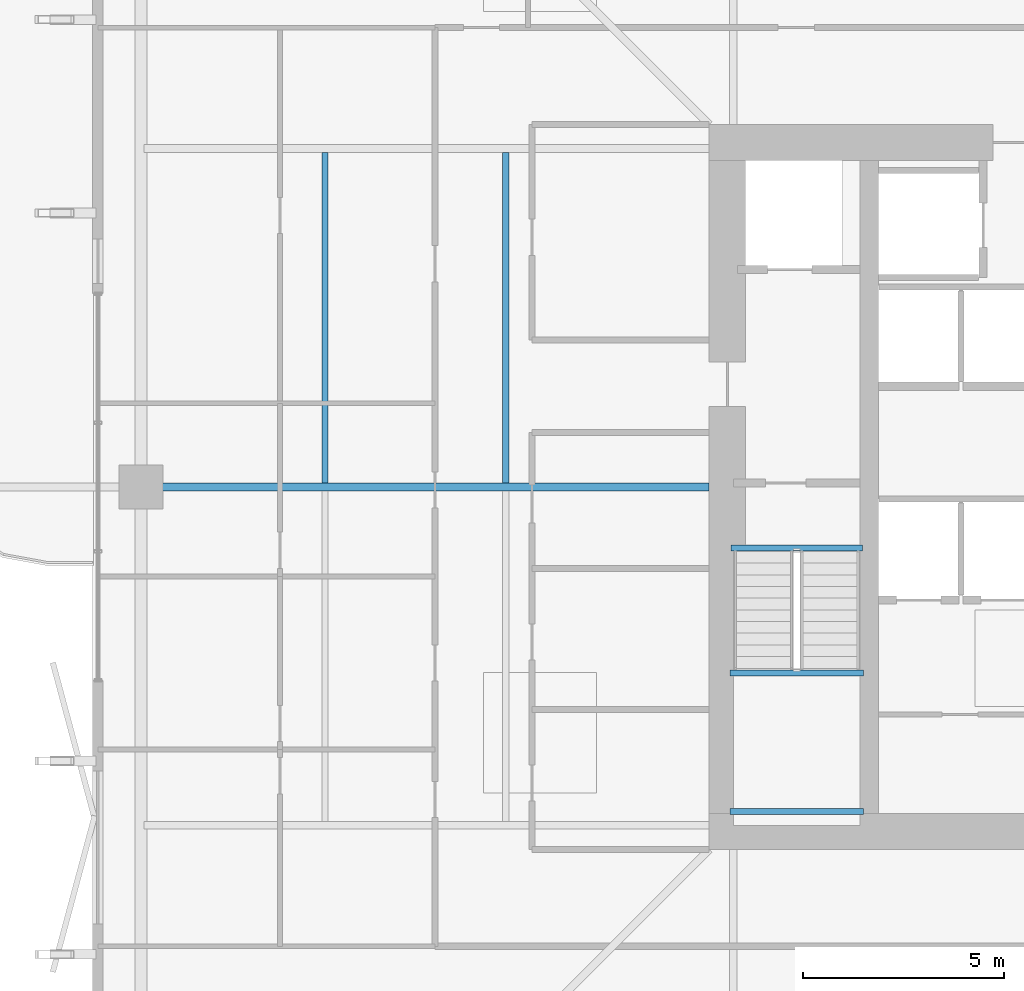
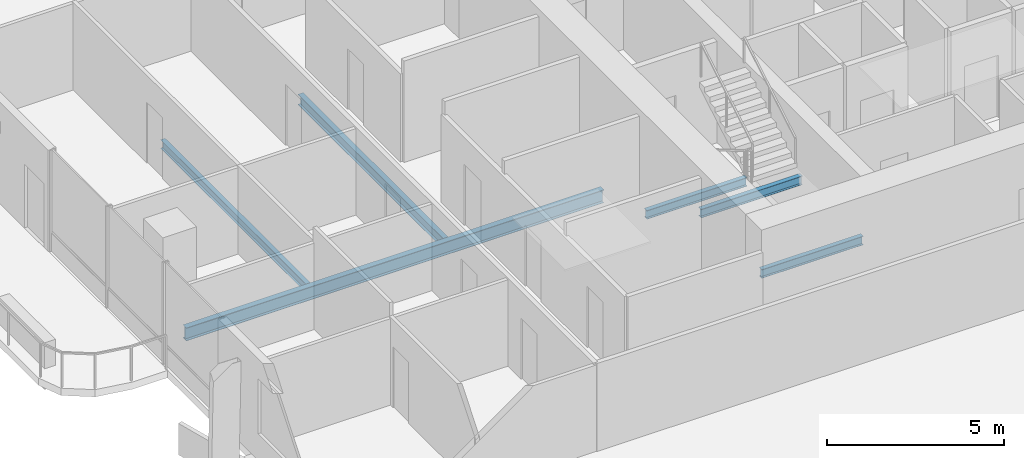
# One storey, part 7 of 25: 6 beams.
"""IFC4 building model written with IfcOpenShell, lengths in metres."""

from ifc_helpers import new_model, si_unit, direction, frame, origin, origin_2d, place, context, subcontext, project, spatial, i_section, extrude, material, material_profile, profile_set, type_object, element, save


model = new_model("IFC4")

# Units and contexts
model_context = context("Model", 3, precision=1e-05, world=origin(), true_north=direction((0.0, 1.0)))
body_context = subcontext(model_context, "Body", "Model", "MODEL_VIEW")
ifc_project = project(units=[si_unit("LENGTHUNIT", "METRE"), si_unit("AREAUNIT", "SQUARE_METRE"), si_unit("VOLUMEUNIT", "CUBIC_METRE"), si_unit("PLANEANGLEUNIT", "RADIAN"), si_unit("MASSUNIT", "GRAM", prefix="KILO")], contexts=[model_context])

# Site, building, storey
site_placement = place(None, origin())
site = spatial("IfcSite", under=ifc_project, at=site_placement, CompositionType="ELEMENT")
building_placement = place(site_placement, origin())
building = spatial("IfcBuilding", under=site, at=building_placement, Name="Belovzor Exchange Tower", CompositionType="ELEMENT")
storey_placement = place(building_placement, frame((0.0, 0.0, 172.050048828125)))
storey = spatial("IfcBuildingStorey", under=building, at=storey_placement, Name="L42", CompositionType="ELEMENT", Elevation=172.050048828125)

# Beams
ifc_material_1 = material(Name="Steel S355", Category="steel")
ifc_material_profile_1 = material_profile(ifc_material_1, i_section(OverallWidth=0.169921875, OverallDepth=0.360107421875, WebThickness=0.008056640625, FlangeThickness=0.0126953125, at=origin_2d()))
ifc_profile_set_1 = profile_set([ifc_material_profile_1], Name="Steel S355")
beam_type_1 = type_object("IfcBeamType", Name="Secondary Infill Floor Joist IPE 360", PredefinedType="BEAM", material=ifc_profile_set_1)
beam_1_placement = place(storey_placement, frame((14.7509765625, 28.89501953125, -0.43505859375), z_axis=(0.0, 1.0, 0.0), x_axis=(-1.0, 0.0, 0.0)))
element("IfcBeam", 1, at=beam_1_placement, inside=storey, type_object=beam_type_1, Name="FJ-360 Secondary Infill Floor Joist IPE 360", PredefinedType="BEAM", context=body_context, shape_type="SweptSolid", body=[
    extrude(i_section(OverallWidth=0.169921875, OverallDepth=0.360107421875, WebThickness=0.008056640625, FlangeThickness=0.0126953125, at=origin_2d()), origin(), (0.0, 0.0, 1.0), 8.2099609375),
])
ifc_material_2 = material(Name="Steel S355", Category="steel")
ifc_material_profile_2 = material_profile(ifc_material_2, i_section(OverallWidth=0.14990234375, OverallDepth=0.300048828125, WebThickness=0.007080078125, FlangeThickness=0.0107421875, at=origin_2d()))
ifc_profile_set_2 = profile_set([ifc_material_profile_2], Name="Steel S355")
beam_type_2 = type_object("IfcBeamType", Name="Secondary Trim Floor Joist IPE 300", PredefinedType="BEAM", material=ifc_profile_set_2)
for number, where, z_axis, x_axis, name in (
    (2, (20.320068359375, 24.179931640625, 1.52490234375), (1.0, 0.0, 0.0), (0.0, 1.0, 0.0), "FJ-300 Secondary Trim Floor Joist IPE 300"),
    (3, (20.320068359375, 20.75, 1.52490234375), (1.0, 0.0, 0.0), (0.0, 1.0, 0.0), "FJ-300 Secondary Trim Floor Joist IPE 300"),
):
    element("IfcBeam", number, at=place(storey_placement, frame(where, z_axis=z_axis, x_axis=x_axis)), inside=storey, type_object=beam_type_2, Name=name, PredefinedType="BEAM", context=body_context, shape_type="SweptSolid", body=[
        extrude(i_section(OverallWidth=0.14990234375, OverallDepth=0.300048828125, WebThickness=0.007080078125, FlangeThickness=0.0107421875, at=origin_2d()), origin(), (0.0, 0.0, 1.0), 3.309814453125),
    ])
beam_2_placement = place(storey_placement, frame((20.340087890625, 27.280029296875, -0.405029296875), z_axis=(1.0, 0.0, 0.0), x_axis=(0.0, 1.0, 0.0)))
element("IfcBeam", 4, at=beam_2_placement, inside=storey, type_object=beam_type_2, Name="FJ-300 Secondary Trim Floor Joist IPE 300", PredefinedType="BEAM", context=body_context, shape_type="SweptSolid", body=[
    extrude(i_section(OverallWidth=0.14990234375, OverallDepth=0.300048828125, WebThickness=0.007080078125, FlangeThickness=0.0107421875, at=origin_2d()), origin(), (0.0, 0.0, 1.0), 3.27001953125),
])
beam_3_placement = place(storey_placement, frame((10.262939453125, 28.89501953125, -0.405029296875), z_axis=(0.0, 1.0, 0.0), x_axis=(-1.0, 0.0, 0.0)))
element("IfcBeam", 5, at=beam_3_placement, inside=storey, type_object=beam_type_2, Name="FJ-300 Secondary Trim Floor Joist IPE 300", PredefinedType="BEAM", context=body_context, shape_type="SweptSolid", body=[
    extrude(i_section(OverallWidth=0.14990234375, OverallDepth=0.300048828125, WebThickness=0.007080078125, FlangeThickness=0.0107421875, at=origin_2d()), origin(), (0.0, 0.0, 1.0), 8.2099609375),
])
ifc_material_3 = material(Name="Steel S355", Category="steel")
ifc_material_profile_3 = material_profile(ifc_material_3, i_section(OverallWidth=0.18994140625, OverallDepth=0.449951171875, WebThickness=0.009521484375, FlangeThickness=0.0146484375, at=origin_2d()))
ifc_profile_set_3 = profile_set([ifc_material_profile_3], Name="Steel S355")
beam_type_3 = type_object("IfcBeamType", Name="Zone 2-4 Radial Composite Floor Beam IPE 450", PredefinedType="BEAM", material=ifc_profile_set_3)
beam_4_placement = place(storey_placement, frame((19.800048828125, 28.800048828125, -0.47998046875), z_axis=(-1.0, 0.0, 0.0), x_axis=(0.0, -1.0, 0.0)))
element("IfcBeam", 6, at=beam_4_placement, inside=storey, type_object=beam_type_3, Name="FB-450 Zone 2-4 Radial Composite Floor Beam IPE 450", PredefinedType="BEAM", context=body_context, shape_type="SweptSolid", body=[
    extrude(i_section(OverallWidth=0.18994140625, OverallDepth=0.449951171875, WebThickness=0.009521484375, FlangeThickness=0.0146484375, at=origin_2d()), origin(), (0.0, 0.0, 1.0), 13.615966796875),
])

save(model, "model.ifc")
